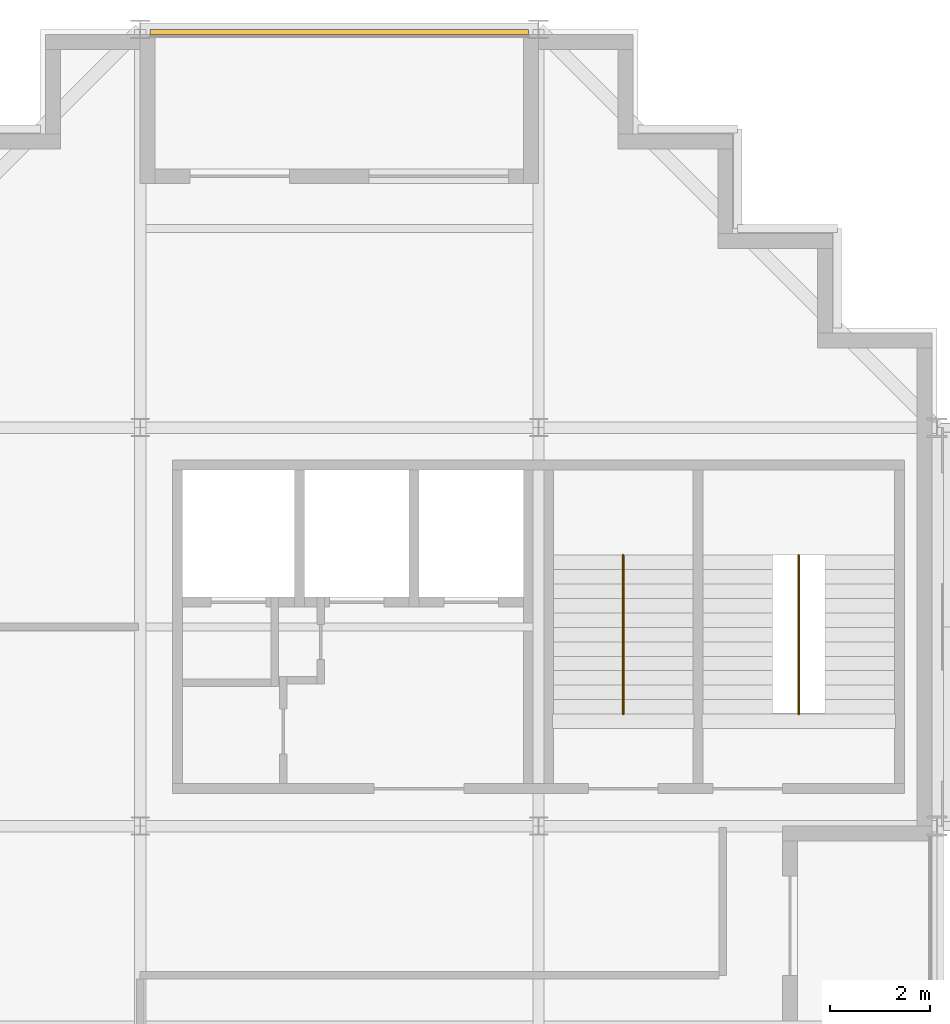
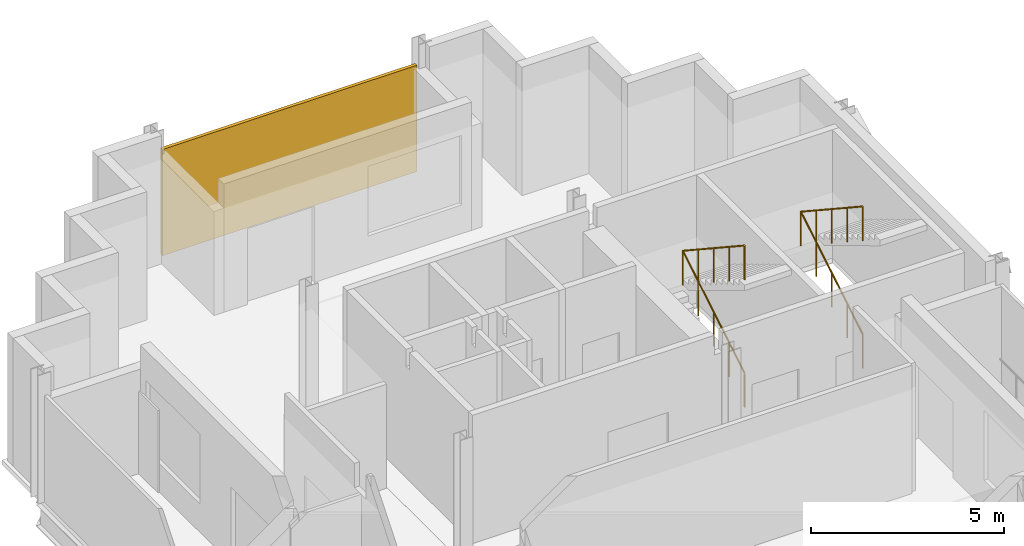
# One storey, part 11 of 12: 2 railings, 1 shading device.
"""IFC4 building model written with IfcOpenShell, lengths in metres."""

import ifcopenshell
import ifcopenshell.guid

model = None  # the IFC model being written
_history = None  # IfcOwnerHistory: only IFC2X3 demands one
_inside = {}  # id of a spatial element -> (the spatial element, [elements in it])
_under = {}  # id of a project, library or spatial element -> (it, [spatial elements below it])
_declared = {}  # id of a project -> (the project, [libraries it declares])
_typed = {}  # id of a type object -> (the type object, [elements of that type])
_made_of = {}  # id of a material, layer set ... -> (it, [elements and type objects made of it])


def new_model(schema):
    """Start an empty IFC model of exactly this schema.

    Asked for "IFC4X3", IfcOpenShell would pick the latest addendum, in which some entities
    have other attributes; the version numbers below select the first issue.
    IFC2X3 requires an IfcOwnerHistory on every rooted entity: one is made here for all.
    """
    global model, _history
    if schema == "IFC4X3":
        model = ifcopenshell.file(schema_version=(4, 3, 0, 0))
    else:
        model = ifcopenshell.file(schema=schema)
    _inside.clear()
    _under.clear()
    _declared.clear()
    _typed.clear()
    _made_of.clear()
    _history = None
    if model.schema == "IFC2X3":
        org = make("IfcOrganization", Name="unknown")
        user = make(
            "IfcPersonAndOrganization",
            ThePerson=make("IfcPerson", FamilyName="unknown"),
            TheOrganization=org,
        )
        app = make(
            "IfcApplication",
            ApplicationDeveloper=org,
            Version="unknown",
            ApplicationFullName="unknown",
            ApplicationIdentifier="unknown",
        )
        _history = make(
            "IfcOwnerHistory",
            OwningUser=user,
            OwningApplication=app,
            ChangeAction="ADDED",
            CreationDate=0,
        )
    return model


def make(cls, **values):
    """One entity of the class cls with the attributes given. An attribute that is None is left unset."""
    return model.create_entity(
        cls, **{name: value for name, value in values.items() if value is not None}
    )


def rooted(cls, **values):
    """An entity with a GlobalId (a new one), such as an element, a storey or a relation."""
    return make(cls, GlobalId=ifcopenshell.guid.new(), OwnerHistory=_history, **values)


def si_unit(unit_type, name, prefix=None):
    """IfcSIUnit, for example si_unit("LENGTHUNIT", "METRE", prefix="MILLI")."""
    return make("IfcSIUnit", UnitType=unit_type, Prefix=prefix, Name=name)


def assignment(units):
    """IfcUnitAssignment: the units of a project."""
    return None if units is None else make("IfcUnitAssignment", Units=units)


def point(xyz):
    """IfcCartesianPoint."""
    return None if xyz is None else make("IfcCartesianPoint", Coordinates=xyz)


def direction(xyz):
    """IfcDirection."""
    return None if xyz is None else make("IfcDirection", DirectionRatios=xyz)


def frame(location, z_axis=None, x_axis=None):
    """IfcAxis2Placement3D, a coordinate frame: its origin and axes. An axis left out is left unset."""
    return make(
        "IfcAxis2Placement3D",
        Location=point(location),
        Axis=direction(z_axis),
        RefDirection=direction(x_axis),
    )


def frame_2d(location, x_axis=None):
    """IfcAxis2Placement2D, a coordinate frame in the plane: its origin and x axis."""
    return make(
        "IfcAxis2Placement2D", Location=point(location), RefDirection=direction(x_axis)
    )


def origin():
    """The frame at (0, 0, 0) with its axes left unset."""
    return frame((0.0, 0.0, 0.0))


def origin_2d():
    """The frame at (0, 0) in the plane with its x axis left unset."""
    return frame_2d((0.0, 0.0))


def place(relative_to, where):
    """IfcLocalPlacement: puts the frame where relative to a parent placement (None: the world)."""
    return make(
        "IfcLocalPlacement", PlacementRelTo=relative_to, RelativePlacement=where
    )


def context(
    kind, dimensions, precision=None, world=None, true_north=None, identifier=None
):
    """IfcGeometricRepresentationContext, for example the 3D "Model" context."""
    return make(
        "IfcGeometricRepresentationContext",
        ContextIdentifier=identifier,
        ContextType=kind,
        CoordinateSpaceDimension=dimensions,
        Precision=precision,
        WorldCoordinateSystem=world,
        TrueNorth=true_north,
    )


def subcontext(parent, identifier, kind, view, scale=None):
    """IfcGeometricRepresentationSubContext, for example "Body" below "Model"."""
    return make(
        "IfcGeometricRepresentationSubContext",
        ContextIdentifier=identifier,
        ContextType=kind,
        ParentContext=parent,
        TargetScale=scale,
        TargetView=view,
    )


def project(units=None, contexts=None):
    """IfcProject with its units and contexts."""
    return rooted(
        "IfcProject",
        Name="project",
        RepresentationContexts=contexts,
        UnitsInContext=assignment(units),
    )


def spatial(cls, under=None, at=None, **own):
    """A site, building, storey or space (cls), placed at a placement, below another one or the project."""
    s = rooted(cls, ObjectPlacement=at, **own)
    if under is not None:
        _under.setdefault(under.id(), (under, []))[1].append(s)
    return s


def profile(cls, at=None, kind="AREA", **sizes):
    """A parametric profile (cls). Its sizes go by their IFC names, for example OverallWidth=200.0."""
    return make(cls, ProfileType=kind, Position=at, **sizes)


def rectangle(**sizes):
    """IfcRectangleProfileDef."""
    return profile("IfcRectangleProfileDef", **sizes)


def circle(**sizes):
    """IfcCircleProfileDef."""
    return profile("IfcCircleProfileDef", **sizes)


def extrude(swept, where, along, depth):
    """IfcExtrudedAreaSolid: the profile swept, set in the frame where, extruded along a direction by depth."""
    return make(
        "IfcExtrudedAreaSolid",
        SweptArea=swept,
        Position=where,
        ExtrudedDirection=direction(along),
        Depth=depth,
    )


def shape(context_of_items, identifier, shape_type, items):
    """IfcShapeRepresentation: the items that make up one representation, for example the "Body"."""
    return make(
        "IfcShapeRepresentation",
        ContextOfItems=context_of_items,
        RepresentationIdentifier=identifier,
        RepresentationType=shape_type,
        Items=items,
    )


def material(Name=None, Category=None):
    """IfcMaterial."""
    return make("IfcMaterial", Name=Name, Category=Category)


def layer(
    of_material, thickness, ventilated=None, Name=None, Category=None, Priority=None
):
    """IfcMaterialLayer: one layer of a wall or slab, of a material (None: an air gap)."""
    return make(
        "IfcMaterialLayer",
        Material=of_material,
        LayerThickness=thickness,
        IsVentilated=ventilated,
        Name=Name,
        Category=Category,
        Priority=Priority,
    )


def layer_set(layers, Name=None):
    """IfcMaterialLayerSet."""
    return make("IfcMaterialLayerSet", MaterialLayers=layers, LayerSetName=Name)


def made_of(thing, what):
    """Note that an element or type object is made of a material, layer set ...; save() writes the relation."""
    if what is not None:
        _made_of.setdefault(what.id(), (what, []))[1].append(thing)
    return thing


def type_object(cls, material=None, **own):
    """A type object (cls), such as IfcWallType, which elements share."""
    return made_of(rooted(cls, **own), material)


def element(
    cls,
    number,
    at=None,
    inside=None,
    cuts=None,
    type_object=None,
    material=None,
    context=None,
    identifier="Body",
    shape_type=None,
    held_by="IfcProductDefinitionShape",
    body=None,
    shapes=None,
    **own,
):
    """One element of the class cls, such as IfcWall. Its Tag is "e" and its number.

    at: its placement. inside: the storey or other place that contains it. cuts: it is an
    opening in that element (IfcRelVoidsElement). A single representation is given by context,
    identifier, shape_type and body (its items); several are given by shapes. held_by: the class
    of the entity that holds the representations. save() writes the other relations.
    """
    e = rooted(cls, Tag="e%d" % number, ObjectPlacement=at, **own)
    if body is not None:
        shapes = [shape(context, identifier, shape_type, body)]
    if shapes is not None:
        e.Representation = make(held_by, Representations=shapes)
    if inside is not None:
        _inside.setdefault(inside.id(), (inside, []))[1].append(e)
    if cuts is not None:
        rooted(
            "IfcRelVoidsElement", RelatingBuildingElement=cuts, RelatedOpeningElement=e
        )
    if type_object is not None:
        _typed.setdefault(type_object.id(), (type_object, []))[1].append(e)
    return made_of(e, material)


def aggregate(whole, parts):
    """IfcRelAggregates: a whole, such as a stair, and the parts it consists of."""
    return rooted("IfcRelAggregates", RelatingObject=whole, RelatedObjects=parts)


def save(model, path):
    """Write the relations noted so far, then the file.

    IfcRelAggregates (storeys below a building ...), IfcRelContainedInSpatialStructure (elements
    in a storey), IfcRelDefinesByType, IfcRelAssociatesMaterial and IfcRelDeclares: one each for
    every whole, place, type object, material and project.
    """
    for whole, parts in _under.values():
        aggregate(whole, parts)
    for where, things in _inside.values():
        rooted(
            "IfcRelContainedInSpatialStructure",
            RelatedElements=things,
            RelatingStructure=where,
        )
    for kind, things in _typed.values():
        rooted("IfcRelDefinesByType", RelatedObjects=things, RelatingType=kind)
    for what, things in _made_of.values():
        rooted("IfcRelAssociatesMaterial", RelatedObjects=things, RelatingMaterial=what)
    for by, libraries in _declared.values():
        rooted("IfcRelDeclares", RelatingContext=by, RelatedDefinitions=libraries)
    model.write(path)


model = new_model("IFC4")

# Units and contexts
model_context = context("Model", 3, precision=1e-05, world=origin(), true_north=direction((0.0, 1.0)))
body_context = subcontext(model_context, "Body", "Model", "MODEL_VIEW")
ifc_project = project(units=[si_unit("LENGTHUNIT", "METRE"), si_unit("AREAUNIT", "SQUARE_METRE"), si_unit("VOLUMEUNIT", "CUBIC_METRE"), si_unit("PLANEANGLEUNIT", "RADIAN"), si_unit("MASSUNIT", "GRAM", prefix="KILO")], contexts=[model_context])

# Site, building, storey
site_placement = place(None, origin())
site = spatial("IfcSite", under=ifc_project, at=site_placement, CompositionType="ELEMENT")
building_placement = place(site_placement, origin())
building = spatial("IfcBuilding", under=site, at=building_placement, Name="Immortelle Media Tower", CompositionType="ELEMENT")
storey_placement = place(building_placement, frame((0.0, 0.0, 136.800048828125)))
storey = spatial("IfcBuildingStorey", under=building, at=storey_placement, Name="L27", CompositionType="ELEMENT", Elevation=136.800048828125)

# Shading device
ifc_material_1 = material(Name="Pale aluminium louvre blades", Category="aluminium")
ifc_layer = layer(ifc_material_1, 0.10009765625)
ifc_layer_set = layer_set([ifc_layer], Name="Pale aluminium louvre blades")
shading_device_type = type_object("IfcShadingDeviceType", Name="Jalousie screen 100", PredefinedType="JALOUSIE", material=ifc_layer_set)
shading_device_placement = place(storey_placement, frame((12.0, 47.949951171875, 0.0), z_axis=(0.0, 0.0, 1.0), x_axis=(-1.0, 0.0, 0.0)))
element("IfcShadingDevice", 1, at=shading_device_placement, inside=storey, type_object=shading_device_type, Name="Jalousie screen L27 N0", PredefinedType="JALOUSIE", context=body_context, shape_type="SweptSolid", body=[
    extrude(rectangle(XDim=7.60595703125, YDim=0.10009765625, at=origin_2d()), origin(), (0.0, 0.0, 1.0), 3.35693359375),
])

# Railings
ifc_material_2 = material(Name="Stainless steel AISI 316", Category="steel")
railing_type = type_object("IfcRailingType", Name="Stair guard 1100", PredefinedType="GUARDRAIL", material=ifc_material_2)
for number, where, name in (
    (2, (17.699951171875, 34.25, 0.175048828125), "Stair guard NW1"),
    (3, (21.22509765625, 34.25, 0.175048828125), "Stair guard NW2"),
):
    element("IfcRailing", number, at=place(storey_placement, frame(where)), inside=storey, type_object=railing_type, Name=name, PredefinedType="GUARDRAIL", context=body_context, shape_type="SweptSolid", body=[
        extrude(circle(Radius=0.02392578125, at=origin_2d()), frame((0.0, 0.0, 1.076171875), z_axis=(0.0, 0.856206652436, 0.516633495163), x_axis=(-1.0, 0.0, 0.0)), (0.0, 0.0, 1.0), 3.7255859375),
        extrude(circle(Radius=0.02392578125, at=origin_2d()), frame((0.0, 3.18994140625, 3.0009765625), z_axis=(0.0, -0.835242474824, 0.549881812983), x_axis=(1.0, 0.0, 0.0)), (0.0, 0.0, 1.0), 3.819091796875),
        extrude(circle(Radius=0.02099609375, at=origin_2d()), origin(), (0.0, 0.0, 1.0), 1.052001953125),
        extrude(circle(Radius=0.02099609375, at=origin_2d()), frame((0.0, 0.79736328125, 0.481201171875)), (0.0, 0.0, 1.0), 1.052001953125),
        extrude(circle(Radius=0.02099609375, at=origin_2d()), frame((0.0, 1.594970703125, 0.96240234375)), (0.0, 0.0, 1.0), 1.052001953125),
        extrude(circle(Radius=0.02099609375, at=origin_2d()), frame((0.0, 2.392578125, 1.443603515625)), (0.0, 0.0, 1.0), 1.052001953125),
        extrude(circle(Radius=0.02099609375, at=origin_2d()), frame((0.0, 3.18994140625, 1.9248046875)), (0.0, 0.0, 1.0), 1.052001953125),
        extrude(circle(Radius=0.02099609375, at=origin_2d()), frame((0.0, 2.392578125, 2.44970703125)), (0.0, 0.0, 1.0), 1.052001953125),
        extrude(circle(Radius=0.02099609375, at=origin_2d()), frame((0.0, 1.594970703125, 2.974853515625)), (0.0, 0.0, 1.0), 1.052001953125),
        extrude(circle(Radius=0.02099609375, at=origin_2d()), frame((0.0, 0.79736328125, 3.5)), (0.0, 0.0, 1.0), 1.052001953125),
        extrude(circle(Radius=0.02099609375, at=origin_2d()), frame((0.0, 0.0, 4.02490234375)), (0.0, 0.0, 1.0), 1.052001953125),
    ])

save(model, "model.ifc")
